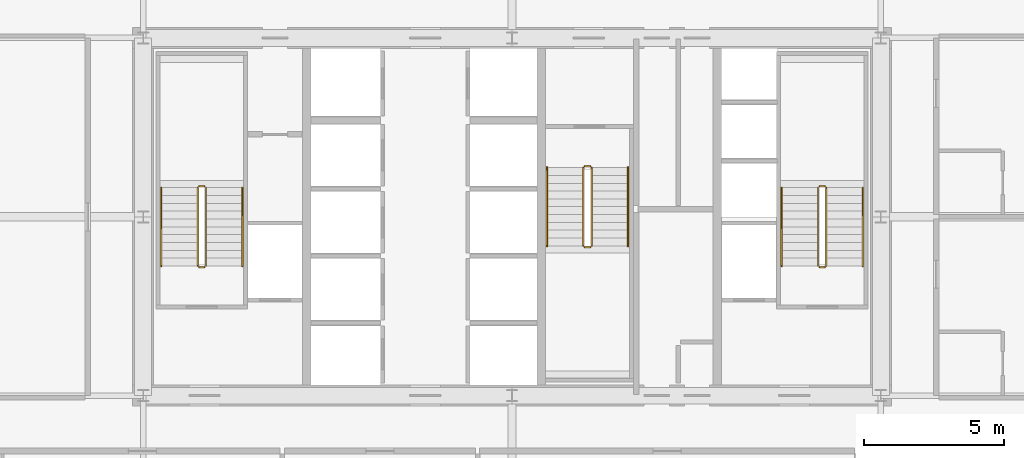
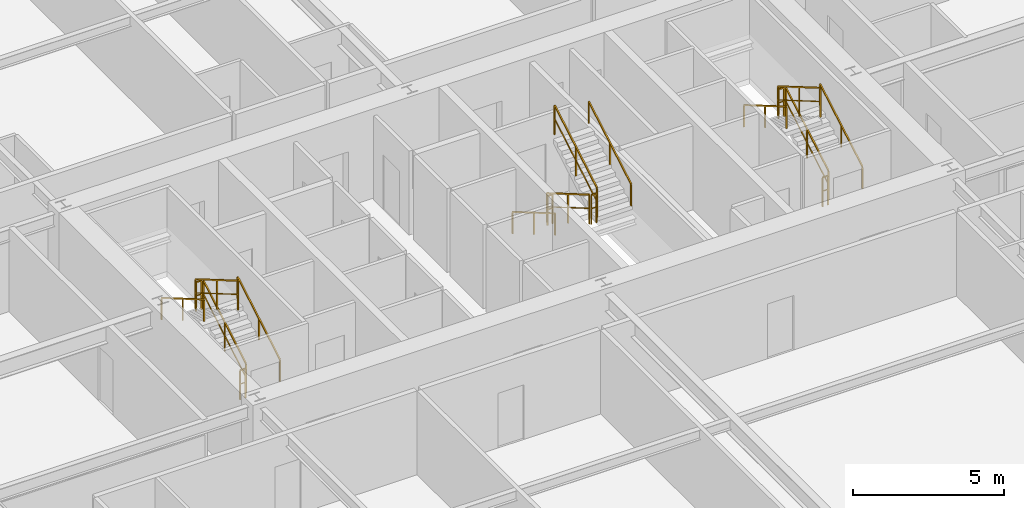
# One storey, part 38 of 38: 18 railings.
"""IFC4 building model written with IfcOpenShell, lengths in metres."""

from ifc_helpers import new_model, si_unit, direction, frame, origin, origin_2d, place, context, subcontext, project, spatial, rectangle, extrude, source, transform, mapped, material, layer, layer_set, type_object, element, save


model = new_model("IFC4")

# Units and contexts
model_context = context("Model", 3, precision=1e-05, world=origin(), true_north=direction((0.0, 1.0)))
body_context = subcontext(model_context, "Body", "Model", "MODEL_VIEW")
ifc_project = project(units=[si_unit("LENGTHUNIT", "METRE"), si_unit("AREAUNIT", "SQUARE_METRE"), si_unit("VOLUMEUNIT", "CUBIC_METRE"), si_unit("PLANEANGLEUNIT", "RADIAN"), si_unit("MASSUNIT", "GRAM", prefix="KILO"), si_unit("THERMODYNAMICTEMPERATUREUNIT", "KELVIN"), si_unit("POWERUNIT", "WATT")], contexts=[model_context])

# Site, building, storey
site_placement = place(None, origin())
site = spatial("IfcSite", under=ifc_project, at=site_placement, CompositionType="ELEMENT")
building_placement = place(site_placement, origin())
building = spatial("IfcBuilding", under=site, at=building_placement, Name="Yuzanri Waterfront Tower", CompositionType="ELEMENT")
storey_placement = place(building_placement, frame((0.0, 0.0, 111.800048828125)))
storey = spatial("IfcBuildingStorey", under=building, at=storey_placement, Name="L29", CompositionType="ELEMENT", Elevation=111.800048828125)

# Railings
ifc_material_1 = material(Name="Painted Galvanized Fire Steel", Category="steel")
ifc_layer_1 = layer(ifc_material_1, 0.06005859375)
ifc_layer_set_1 = layer_set([ifc_layer_1], Name="Painted Galvanized Fire Steel")
railing_type_1 = type_object("IfcRailingType", Name="Painted Steel Stairwell Guardrail 1120", PredefinedType="GUARDRAIL", material=ifc_layer_set_1)
shared_shape_1 = source(origin(), body_context, "Body", "SweptSolid", [
    extrude(rectangle(XDim=0.050048828125, YDim=0.050048828125, at=origin_2d()), frame((0.0, 0.0, 1.1748046875), z_axis=(-1.0, 0.0, 0.0), x_axis=(0.0, -1.0, 0.0)), (0.0, 0.0, 1.0), 0.199951171875),
    extrude(rectangle(XDim=0.035888671875, YDim=0.030029296875, at=origin_2d()), frame((0.0, 0.0, 0.6240234375), z_axis=(-1.0, 0.0, 0.0), x_axis=(0.0, -1.0, 0.0)), (0.0, 0.0, 1.0), 0.199951171875),
    extrude(rectangle(XDim=0.0458984375, YDim=0.0458984375, at=origin_2d()), origin(), (0.0, 0.0, 1.0), 1.14990234375),
    extrude(rectangle(XDim=0.0458984375, YDim=0.0458984375, at=origin_2d()), frame((-0.199951171875, 0.0, 0.0)), (0.0, 0.0, 1.0), 1.14990234375),
])
for number, where, name in (
    (1, (26.0, 26.889892578125, 1.800048828125), "L29 ST-01 stair guard 2"),
    (2, (26.0, 23.989990234375, 0.0), "L29 ST-01 stair guard 4"),
    (3, (48.199951171875, 26.889892578125, 1.800048828125), "L29 ST-02 stair guard 2"),
    (4, (48.199951171875, 23.989990234375, 0.0), "L29 ST-02 stair guard 4"),
):
    element("IfcRailing", number, at=place(storey_placement, frame(where)), inside=storey, type_object=railing_type_1, Name=name, PredefinedType="GUARDRAIL", context=body_context, shape_type="MappedRepresentation", body=[
        mapped(shared_shape_1, transform((0.0, 0.0, 0.0), scale=1.0)),
    ])
shared_shape_2 = source(origin(), body_context, "Body", "SweptSolid", [
    extrude(rectangle(XDim=0.050048828125, YDim=0.050048828125, at=origin_2d()), frame((0.0, 0.0, 1.1748046875), z_axis=(0.0, 0.863393664356, 0.504530851732), x_axis=(-1.0, 0.0, 0.0)), (0.0, 0.0, 1.0), 3.2431640625),
    extrude(rectangle(XDim=0.035888671875, YDim=0.030029296875, at=origin_2d()), frame((0.0, 0.0, 0.6240234375), z_axis=(0.0, 0.863393664356, 0.504530851732), x_axis=(-1.0, 0.0, 0.0)), (0.0, 0.0, 1.0), 3.2431640625),
    extrude(rectangle(XDim=0.0458984375, YDim=0.0458984375, at=origin_2d()), origin(), (0.0, 0.0, 1.0), 1.14990234375),
    extrude(rectangle(XDim=0.0458984375, YDim=0.0458984375, at=origin_2d()), frame((0.0, 1.39990234375, 0.818115234375)), (0.0, 0.0, 1.0), 1.14990234375),
    extrude(rectangle(XDim=0.0458984375, YDim=0.0458984375, at=origin_2d()), frame((0.0, 2.800048828125, 1.63623046875)), (0.0, 0.0, 1.0), 1.14990234375),
])
railing_1_placement = place(storey_placement, frame((39.85009765625, 24.760009765625, 1.963623046875)))
element("IfcRailing", 5, at=railing_1_placement, inside=storey, type_object=railing_type_1, Name="L29 ST-03 stair guard 3", PredefinedType="GUARDRAIL", context=body_context, shape_type="MappedRepresentation", body=[
    mapped(shared_shape_2, transform((0.0, 0.0, 0.0), scale=1.0)),
])
shared_shape_3 = source(origin(), body_context, "Body", "SweptSolid", [
    extrude(rectangle(XDim=0.050048828125, YDim=0.050048828125, at=origin_2d()), frame((0.0, 0.0, 1.1748046875), z_axis=(0.0, -0.863393664356, 0.504530851732), x_axis=(1.0, 0.0, 0.0)), (0.0, 0.0, 1.0), 3.2431640625),
    extrude(rectangle(XDim=0.035888671875, YDim=0.030029296875, at=origin_2d()), frame((0.0, 0.0, 0.6240234375), z_axis=(0.0, -0.863393664356, 0.504530851732), x_axis=(1.0, 0.0, 0.0)), (0.0, 0.0, 1.0), 3.2431640625),
    extrude(rectangle(XDim=0.0458984375, YDim=0.0458984375, at=origin_2d()), origin(), (0.0, 0.0, 1.0), 1.14990234375),
    extrude(rectangle(XDim=0.0458984375, YDim=0.0458984375, at=origin_2d()), frame((0.0, -1.39990234375, 0.818115234375)), (0.0, 0.0, 1.0), 1.14990234375),
    extrude(rectangle(XDim=0.0458984375, YDim=0.0458984375, at=origin_2d()), frame((0.0, -2.800048828125, 1.63623046875)), (0.0, 0.0, 1.0), 1.14990234375),
])
for number, where, name in (
    (6, (25.75, 26.840087890625, 1.963623046875), "L29 ST-01 stair guard 3"),
    (7, (47.949951171875, 26.840087890625, 1.963623046875), "L29 ST-02 stair guard 3"),
):
    element("IfcRailing", number, at=place(storey_placement, frame(where)), inside=storey, type_object=railing_type_1, Name=name, PredefinedType="GUARDRAIL", context=body_context, shape_type="MappedRepresentation", body=[
        mapped(shared_shape_3, transform((0.0, 0.0, 0.0), scale=1.0)),
    ])
ifc_material_2 = material(Name="Anodized Architectural Bronze", Category="metal")
ifc_layer_2 = layer(ifc_material_2, 0.050048828125)
ifc_layer_set_2 = layer_set([ifc_layer_2], Name="Anodized Architectural Bronze")
railing_type_2 = type_object("IfcRailingType", Name="Brushed Bronze Stair Pitch Handrail 920", PredefinedType="HANDRAIL", material=ifc_layer_set_2)
shared_shape_4 = source(origin(), body_context, "Body", "SweptSolid", [
    extrude(rectangle(XDim=0.050048828125, YDim=0.050048828125, at=origin_2d()), frame((0.0, 0.0, 0.875), z_axis=(0.0, 0.863393664356, 0.504530851732), x_axis=(-1.0, 0.0, 0.0)), (0.0, 0.0, 1.0), 3.2431640625),
    extrude(rectangle(XDim=0.0458984375, YDim=0.0458984375, at=origin_2d()), origin(), (0.0, 0.0, 1.0), 0.849853515625),
    extrude(rectangle(XDim=0.0458984375, YDim=0.0458984375, at=origin_2d()), frame((0.0, 1.39990234375, 0.818115234375)), (0.0, 0.0, 1.0), 0.849853515625),
    extrude(rectangle(XDim=0.0458984375, YDim=0.0458984375, at=origin_2d()), frame((0.0, 2.800048828125, 1.63623046875)), (0.0, 0.0, 1.0), 0.849853515625),
])
railing_2_placement = place(storey_placement, frame((41.14990234375, 24.760009765625, 1.963623046875)))
element("IfcRailing", 8, at=railing_2_placement, inside=storey, type_object=railing_type_2, Name="L29 ST-03 stair handrail 2", PredefinedType="HANDRAIL", context=body_context, shape_type="MappedRepresentation", body=[
    mapped(shared_shape_4, transform((0.0, 0.0, 0.0), scale=1.0)),
])
shared_shape_5 = source(origin(), body_context, "Body", "SweptSolid", [
    extrude(rectangle(XDim=0.050048828125, YDim=0.050048828125, at=origin_2d()), frame((0.0, 0.0, 0.875), z_axis=(0.0, -0.863393664356, 0.504530851732), x_axis=(1.0, 0.0, 0.0)), (0.0, 0.0, 1.0), 3.2431640625),
    extrude(rectangle(XDim=0.0458984375, YDim=0.0458984375, at=origin_2d()), origin(), (0.0, 0.0, 1.0), 0.849853515625),
    extrude(rectangle(XDim=0.0458984375, YDim=0.0458984375, at=origin_2d()), frame((0.0, -1.39990234375, 0.818115234375)), (0.0, 0.0, 1.0), 0.849853515625),
    extrude(rectangle(XDim=0.0458984375, YDim=0.0458984375, at=origin_2d()), frame((0.0, -2.800048828125, 1.63623046875)), (0.0, 0.0, 1.0), 0.849853515625),
])
for number, where, name in (
    (9, (24.449951171875, 26.840087890625, 1.963623046875), "L29 ST-01 stair handrail 2"),
    (10, (46.64990234375, 26.840087890625, 1.963623046875), "L29 ST-02 stair handrail 2"),
):
    element("IfcRailing", number, at=place(storey_placement, frame(where)), inside=storey, type_object=railing_type_2, Name=name, PredefinedType="HANDRAIL", context=body_context, shape_type="MappedRepresentation", body=[
        mapped(shared_shape_5, transform((0.0, 0.0, 0.0), scale=1.0)),
    ])
shared_shape_6 = source(origin(), body_context, "Body", "SweptSolid", [
    extrude(rectangle(XDim=0.050048828125, YDim=0.050048828125, at=origin_2d()), frame((0.0, 0.0, 1.1748046875), z_axis=(0.0, 0.863360870873, 0.504586966384), x_axis=(-1.0, 0.0, 0.0)), (0.0, 0.0, 1.0), 3.2431640625),
    extrude(rectangle(XDim=0.035888671875, YDim=0.030029296875, at=origin_2d()), frame((0.0, 0.0, 0.6240234375), z_axis=(0.0, 0.863360870873, 0.504586966384), x_axis=(-1.0, 0.0, 0.0)), (0.0, 0.0, 1.0), 3.2431640625),
    extrude(rectangle(XDim=0.0458984375, YDim=0.0458984375, at=origin_2d()), origin(), (0.0, 0.0, 1.0), 1.14990234375),
    extrude(rectangle(XDim=0.0458984375, YDim=0.0458984375, at=origin_2d()), frame((0.0, 1.39990234375, 0.818359375)), (0.0, 0.0, 1.0), 1.14990234375),
    extrude(rectangle(XDim=0.0458984375, YDim=0.0458984375, at=origin_2d()), frame((0.0, 2.800048828125, 1.636474609375)), (0.0, 0.0, 1.0), 1.14990234375),
])
for number, where, name in (
    (11, (26.050048828125, 24.0400390625, 0.16357421875), "L29 ST-01 stair guard 1"),
    (12, (48.25, 24.0400390625, 0.16357421875), "L29 ST-02 stair guard 1"),
):
    element("IfcRailing", number, at=place(storey_placement, frame(where)), inside=storey, type_object=railing_type_1, Name=name, PredefinedType="GUARDRAIL", context=body_context, shape_type="MappedRepresentation", body=[
        mapped(shared_shape_6, transform((0.0, 0.0, 0.0), scale=1.0)),
    ])
shared_shape_7 = source(origin(), body_context, "Body", "SweptSolid", [
    extrude(rectangle(XDim=0.050048828125, YDim=0.050048828125, at=origin_2d()), frame((0.0, 0.0, 1.1748046875), z_axis=(0.0, -0.863360870873, 0.504586966384), x_axis=(1.0, 0.0, 0.0)), (0.0, 0.0, 1.0), 3.2431640625),
    extrude(rectangle(XDim=0.035888671875, YDim=0.030029296875, at=origin_2d()), frame((0.0, 0.0, 0.6240234375), z_axis=(0.0, -0.863360870873, 0.504586966384), x_axis=(1.0, 0.0, 0.0)), (0.0, 0.0, 1.0), 3.2431640625),
    extrude(rectangle(XDim=0.0458984375, YDim=0.0458984375, at=origin_2d()), origin(), (0.0, 0.0, 1.0), 1.14990234375),
    extrude(rectangle(XDim=0.0458984375, YDim=0.0458984375, at=origin_2d()), frame((0.0, -1.39990234375, 0.818359375)), (0.0, 0.0, 1.0), 1.14990234375),
    extrude(rectangle(XDim=0.0458984375, YDim=0.0458984375, at=origin_2d()), frame((0.0, -2.800048828125, 1.636474609375)), (0.0, 0.0, 1.0), 1.14990234375),
])
railing_3_placement = place(storey_placement, frame((39.550048828125, 27.56005859375, 0.16357421875)))
element("IfcRailing", 13, at=railing_3_placement, inside=storey, type_object=railing_type_1, Name="L29 ST-03 stair guard 1", PredefinedType="GUARDRAIL", context=body_context, shape_type="MappedRepresentation", body=[
    mapped(shared_shape_7, transform((0.0, 0.0, 0.0), scale=1.0)),
])
shared_shape_8 = source(origin(), body_context, "Body", "SweptSolid", [
    extrude(rectangle(XDim=0.050048828125, YDim=0.050048828125, at=origin_2d()), frame((0.0, 0.0, 0.875), z_axis=(0.0, 0.863360870873, 0.504586966384), x_axis=(-1.0, 0.0, 0.0)), (0.0, 0.0, 1.0), 3.2431640625),
    extrude(rectangle(XDim=0.0458984375, YDim=0.0458984375, at=origin_2d()), origin(), (0.0, 0.0, 1.0), 0.849853515625),
    extrude(rectangle(XDim=0.0458984375, YDim=0.0458984375, at=origin_2d()), frame((0.0, 1.39990234375, 0.818359375)), (0.0, 0.0, 1.0), 0.849853515625),
    extrude(rectangle(XDim=0.0458984375, YDim=0.0458984375, at=origin_2d()), frame((0.0, 2.800048828125, 1.636474609375)), (0.0, 0.0, 1.0), 0.849853515625),
])
for number, where, name in (
    (14, (27.35009765625, 24.0400390625, 0.16357421875), "L29 ST-01 stair handrail 1"),
    (15, (49.550048828125, 24.0400390625, 0.16357421875), "L29 ST-02 stair handrail 1"),
):
    element("IfcRailing", number, at=place(storey_placement, frame(where)), inside=storey, type_object=railing_type_2, Name=name, PredefinedType="HANDRAIL", context=body_context, shape_type="MappedRepresentation", body=[
        mapped(shared_shape_8, transform((0.0, 0.0, 0.0), scale=1.0)),
    ])
shared_shape_9 = source(origin(), body_context, "Body", "SweptSolid", [
    extrude(rectangle(XDim=0.050048828125, YDim=0.050048828125, at=origin_2d()), frame((0.0, 0.0, 0.875), z_axis=(0.0, -0.863360870873, 0.504586966384), x_axis=(1.0, 0.0, 0.0)), (0.0, 0.0, 1.0), 3.2431640625),
    extrude(rectangle(XDim=0.0458984375, YDim=0.0458984375, at=origin_2d()), origin(), (0.0, 0.0, 1.0), 0.849853515625),
    extrude(rectangle(XDim=0.0458984375, YDim=0.0458984375, at=origin_2d()), frame((0.0, -1.39990234375, 0.818359375)), (0.0, 0.0, 1.0), 0.849853515625),
    extrude(rectangle(XDim=0.0458984375, YDim=0.0458984375, at=origin_2d()), frame((0.0, -2.800048828125, 1.636474609375)), (0.0, 0.0, 1.0), 0.849853515625),
])
railing_4_placement = place(storey_placement, frame((38.25, 27.56005859375, 0.16357421875)))
element("IfcRailing", 16, at=railing_4_placement, inside=storey, type_object=railing_type_2, Name="L29 ST-03 stair handrail 1", PredefinedType="HANDRAIL", context=body_context, shape_type="MappedRepresentation", body=[
    mapped(shared_shape_9, transform((0.0, 0.0, 0.0), scale=1.0)),
])
shared_shape_10 = source(origin(), body_context, "Body", "SweptSolid", [
    extrude(rectangle(XDim=0.050048828125, YDim=0.050048828125, at=origin_2d()), frame((0.0, 0.0, 1.1748046875), z_axis=(1.0, 0.0, 0.0), x_axis=(0.0, 1.0, 0.0)), (0.0, 0.0, 1.0), 0.199951171875),
    extrude(rectangle(XDim=0.035888671875, YDim=0.030029296875, at=origin_2d()), frame((0.0, 0.0, 0.6240234375), z_axis=(1.0, 0.0, 0.0), x_axis=(0.0, 1.0, 0.0)), (0.0, 0.0, 1.0), 0.199951171875),
    extrude(rectangle(XDim=0.0458984375, YDim=0.0458984375, at=origin_2d()), origin(), (0.0, 0.0, 1.0), 1.14990234375),
    extrude(rectangle(XDim=0.0458984375, YDim=0.0458984375, at=origin_2d()), frame((0.199951171875, 0.0, 0.0)), (0.0, 0.0, 1.0), 1.14990234375),
])
for number, where, name in (
    (17, (39.60009765625, 24.7099609375, 1.800048828125), "L29 ST-03 stair guard 2"),
    (18, (39.60009765625, 27.610107421875, 0.0), "L29 ST-03 stair guard 4"),
):
    element("IfcRailing", number, at=place(storey_placement, frame(where)), inside=storey, type_object=railing_type_1, Name=name, PredefinedType="GUARDRAIL", context=body_context, shape_type="MappedRepresentation", body=[
        mapped(shared_shape_10, transform((0.0, 0.0, 0.0), scale=1.0)),
    ])

save(model, "model.ifc")
